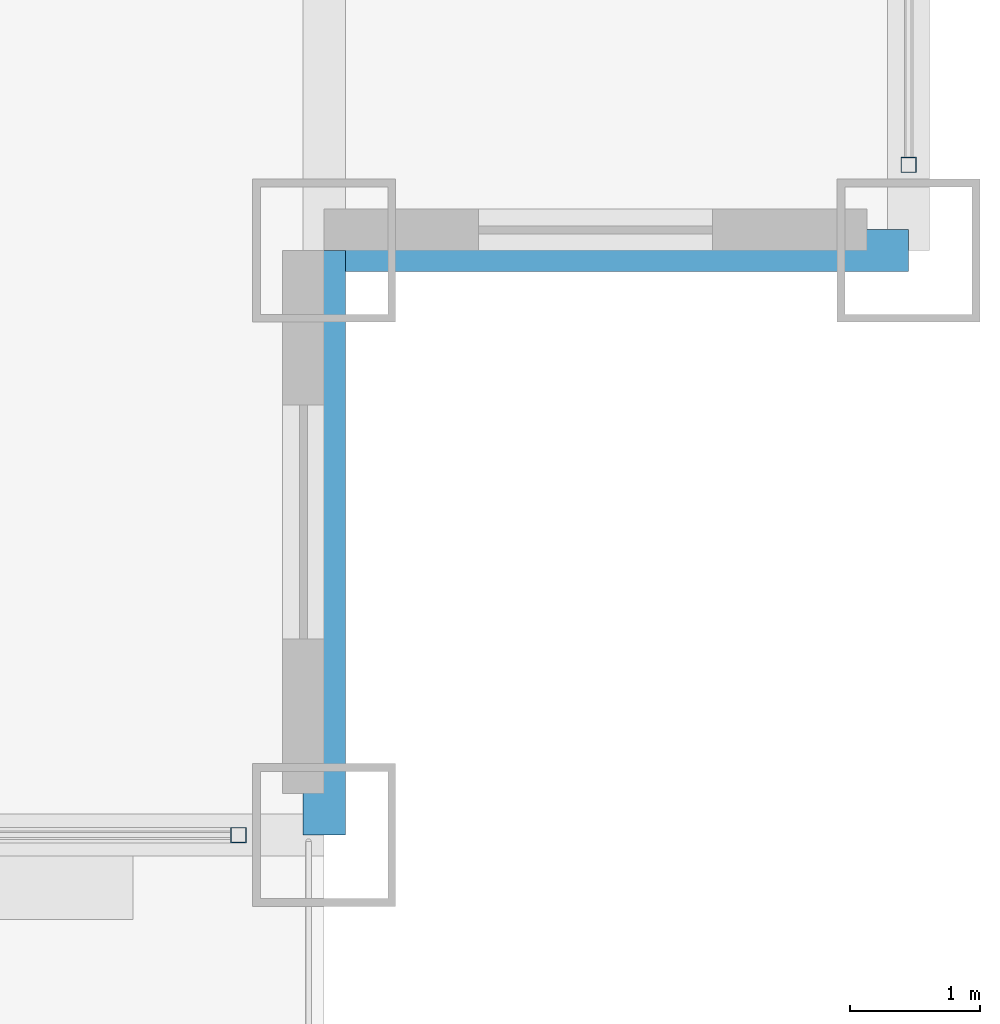
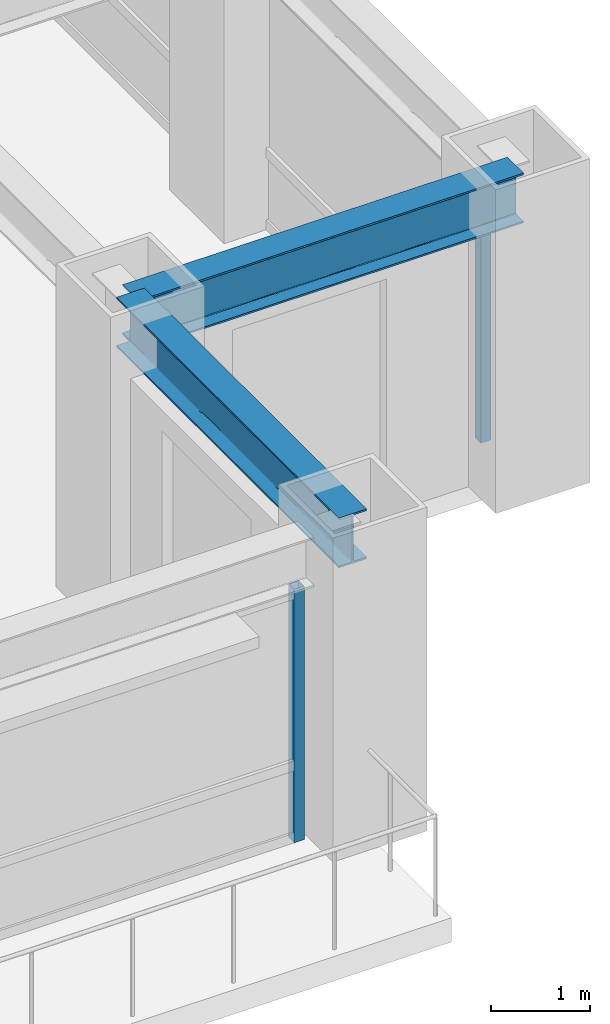
# One storey, part 11 of 35: 2 beams, 2 members, 2 elements without a shape of their own.
"""IFC4 building model written with IfcOpenShell, lengths in metres."""

from ifc_helpers import new_model, si_unit, direction, frame, origin, origin_2d, place, context, subcontext, project, spatial, hollow_rectangle, i_section, extrude, source, transform, mapped, material, material_profile, profile_set, type_object, element, aggregate, save


model = new_model("IFC4")

# Units and contexts
model_context = context("Model", 3, precision=1e-05, world=origin(), true_north=direction((0.0, 1.0)))
body_context = subcontext(model_context, "Body", "Model", "MODEL_VIEW")
ifc_project = project(units=[si_unit("LENGTHUNIT", "METRE"), si_unit("AREAUNIT", "SQUARE_METRE"), si_unit("VOLUMEUNIT", "CUBIC_METRE"), si_unit("PLANEANGLEUNIT", "RADIAN"), si_unit("MASSUNIT", "GRAM", prefix="KILO")], contexts=[model_context])

# Site, building, storey
site_placement = place(None, origin())
site = spatial("IfcSite", under=ifc_project, at=site_placement, CompositionType="ELEMENT")
building_placement = place(site_placement, origin())
building = spatial("IfcBuilding", under=site, at=building_placement, Name="Khorayat Bourse Tower", CompositionType="ELEMENT")
storey_placement = place(building_placement, frame((0.0, 0.0, 155.10009765625)))
storey = spatial("IfcBuildingStorey", under=building, at=storey_placement, Name="L35", CompositionType="ELEMENT", Elevation=155.10009765625)

# Beams
ifc_material_1 = material(Name="Steel ASTM A992 Grade 50", Category="steel")
ifc_material_profile_1 = material_profile(ifc_material_1, i_section(OverallWidth=0.324951171875, OverallDepth=0.615966796875, WebThickness=0.013916015625, FlangeThickness=0.021484375, FilletRadius=0.01611328125, at=origin_2d()), Name="W610X174")
ifc_profile_set_1 = profile_set([ifc_material_profile_1], Name="Steel ASTM A992 Grade 50")
beam_type = type_object("IfcBeamType", Name="BM-SPAN-610", PredefinedType="SPANDREL", material=ifc_profile_set_1)
shared_shape_1 = source(origin(), body_context, "Body", "SweptSolid", [
    extrude(i_section(OverallWidth=0.324951171875, OverallDepth=0.615966796875, WebThickness=0.013916015625, FlangeThickness=0.021484375, FilletRadius=0.01611328125, at=origin_2d()), origin(), (0.0, 0.0, 1.0), 4.5),
])
for number, where, z_axis, x_axis, name in (
    (1, (25.5, -30.0, 3.471923828125), (0.0, 1.0, 0.0), (-1.0, 0.0, 0.0), "L35 BM-SPAN-610 BM-L35-SPN-032"),
    (2, (25.5, -25.5, 3.471923828125), (1.0, 0.0, 0.0), (0.0, 1.0, 0.0), "L35 BM-SPAN-610 BM-L35-SPN-033"),
):
    element("IfcBeam", number, at=place(storey_placement, frame(where, z_axis=z_axis, x_axis=x_axis)), inside=storey, type_object=beam_type, Name=name, PredefinedType="SPANDREL", context=body_context, shape_type="MappedRepresentation", body=[
        mapped(shared_shape_1, transform((0.0, 0.0, 0.0), scale=1.0)),
    ])

# Curtain wall, member
ifc_material_2 = material(Name="Aluminium EN AW-6063 T6", Category="aluminium")
curtain_wall_type = type_object("IfcCurtainWallType", Name="CW-SYS-03", PredefinedType="NOTDEFINED", material=ifc_material_2)
curtain_wall_1_placement = place(storey_placement, origin())
curtain_wall_1 = element("IfcCurtainWall", 3, at=curtain_wall_1_placement, inside=storey, type_object=curtain_wall_type, Name="L35 Curtain Wall CW-L35-S2", PredefinedType="NOTDEFINED")
ifc_material_profile_2 = material_profile(ifc_material_2, hollow_rectangle(XDim=0.1201171875, YDim=0.1201171875, WallThickness=0.0048828125, at=origin_2d()), Name="ALU 120x120x5")
ifc_profile_set_2 = profile_set([ifc_material_profile_2], Name="Aluminium EN AW-6063 T6")
member_type = type_object("IfcMemberType", Name="CWM-VERT-120", PredefinedType="MULLION", material=ifc_profile_set_2)
shared_shape_2 = source(origin(), body_context, "Body", "SweptSolid", [
    extrude(hollow_rectangle(XDim=0.1201171875, YDim=0.1201171875, WallThickness=0.0048828125, at=origin_2d()), origin(), (0.0, 0.0, 1.0), 3.1298828125),
])
member_1_placement = place(storey_placement, frame((24.840087890625, -30.0, 0.0), z_axis=(0.0, 0.0, 1.0), x_axis=(0.0, 1.0, 0.0)))
member_1 = element("IfcMember", 4, at=member_1_placement, type_object=member_type, Name="CW-L35-S2 Vertical Mullion 3", PredefinedType="MULLION", context=body_context, shape_type="MappedRepresentation", body=[
    mapped(shared_shape_2, transform((0.0, 0.0, 0.0), scale=1.0)),
])
aggregate(curtain_wall_1, [member_1])

curtain_wall_2_placement = place(storey_placement, origin())
curtain_wall_2 = element("IfcCurtainWall", 5, at=curtain_wall_2_placement, inside=storey, type_object=curtain_wall_type, Name="L35 Curtain Wall CW-L35-E1", PredefinedType="NOTDEFINED")
member_2_placement = place(storey_placement, frame((30.0, -24.840087890625, 0.0), z_axis=(0.0, 0.0, 1.0), x_axis=(-1.0, 0.0, 0.0)))
member_2 = element("IfcMember", 6, at=member_2_placement, type_object=member_type, Name="CW-L35-E1 Vertical Mullion 1", PredefinedType="MULLION", context=body_context, shape_type="MappedRepresentation", body=[
    mapped(shared_shape_2, transform((0.0, 0.0, 0.0), scale=1.0)),
])
aggregate(curtain_wall_2, [member_2])

save(model, "model.ifc")
